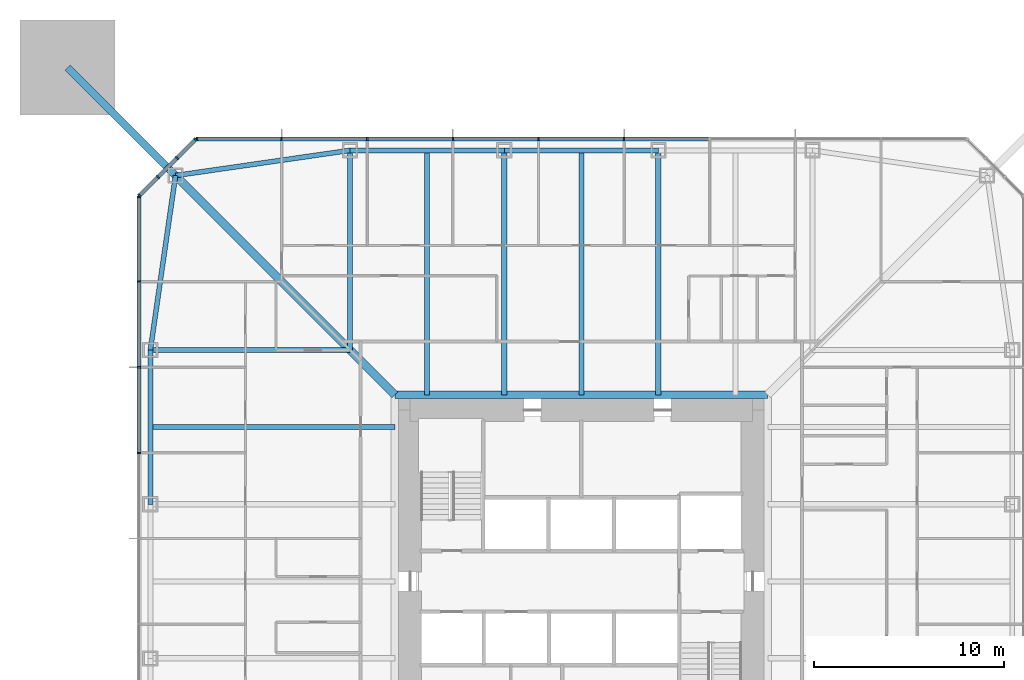
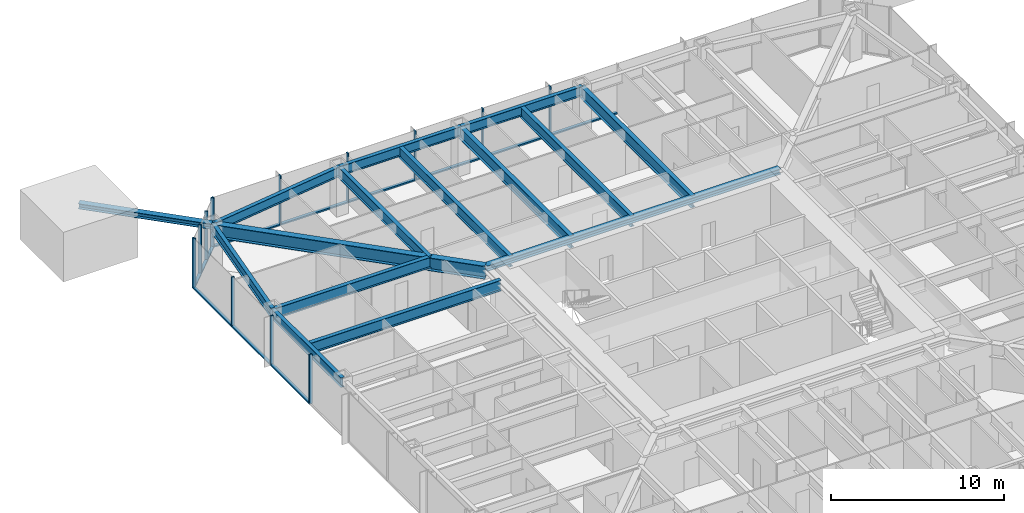
# One storey, part 6 of 26: 27 members, 14 beams, 3 elements without a shape of their own.
"""IFC4 building model written with IfcOpenShell, lengths in metres."""

from ifc_helpers import new_model, si_unit, direction, frame, origin, origin_2d, place, context, subcontext, project, spatial, rectangle, i_section, extrude, material, material_profile, profile_set, type_object, element, aggregate, save


model = new_model("IFC4")

# Units and contexts
model_context = context("Model", 3, precision=1e-05, world=origin(), true_north=direction((0.0, 1.0)))
body_context = subcontext(model_context, "Body", "Model", "MODEL_VIEW")
ifc_project = project(units=[si_unit("LENGTHUNIT", "METRE"), si_unit("AREAUNIT", "SQUARE_METRE"), si_unit("VOLUMEUNIT", "CUBIC_METRE"), si_unit("PLANEANGLEUNIT", "RADIAN"), si_unit("MASSUNIT", "GRAM", prefix="KILO")], contexts=[model_context])

# Site, building, storey
site_placement = place(None, origin())
site = spatial("IfcSite", under=ifc_project, at=site_placement, CompositionType="ELEMENT")
building_placement = place(site_placement, origin())
building = spatial("IfcBuilding", under=site, at=building_placement, Name="Iwan Alto Co-Living Towers", CompositionType="ELEMENT")
storey_placement = place(building_placement, frame((0.0, 0.0, 60.5)))
storey = spatial("IfcBuildingStorey", under=building, at=storey_placement, Name="L16", CompositionType="ELEMENT", Elevation=60.5)

# Curtain wall, members
ifc_material_1 = material(Name="Bronze aluminium unitised frame", Category="aluminium")
curtain_wall_type_1 = type_object("IfcCurtainWallType", Name="CURTAIN WALL CW-A", PredefinedType="NOTDEFINED", material=ifc_material_1)
curtain_wall_1_placement = place(storey_placement, origin())
curtain_wall_1 = element("IfcCurtainWall", 1, at=curtain_wall_1_placement, inside=storey, type_object=curtain_wall_type_1, Name="T1 curtain wall N L16", PredefinedType="NOTDEFINED")
ifc_material_2 = material(Name="Aluminium 6063-T6 bronze anodised", Category="aluminium")
ifc_material_profile_1 = material_profile(ifc_material_2, rectangle(XDim=0.199951171875, YDim=0.080078125, at=origin_2d()), Name="AL 80X200")
ifc_profile_set_1 = profile_set([ifc_material_profile_1], Name="Aluminium 6063-T6 bronze anodised")
member_type_1 = type_object("IfcMemberType", Name="CW-A MULLION 80X200", PredefinedType="MULLION", material=ifc_profile_set_1)
member_1_placement = place(storey_placement, frame((2.25, 23.25, 0.0), z_axis=(0.0, 0.0, 1.0), x_axis=(0.0, -1.0, 0.0)))
member_1 = element("IfcMember", 2, at=member_1_placement, type_object=member_type_1, Name="CW-A mullion 5", PredefinedType="MULLION", context=body_context, shape_type="SweptSolid", body=[
    extrude(rectangle(XDim=0.199951171875, YDim=0.080078125, at=origin_2d()), origin(), (0.0, 0.0, 1.0), 3.5),
])
member_2_placement = place(storey_placement, frame((-2.25, 23.25, 0.0), z_axis=(0.0, 0.0, 1.0), x_axis=(0.0, -1.0, 0.0)))
member_2 = element("IfcMember", 3, at=member_2_placement, type_object=member_type_1, Name="CW-A mullion 6", PredefinedType="MULLION", context=body_context, shape_type="SweptSolid", body=[
    extrude(rectangle(XDim=0.199951171875, YDim=0.080078125, at=origin_2d()), origin(), (0.0, 0.0, 1.0), 3.5),
])
member_3_placement = place(storey_placement, frame((-6.75, 23.25, 0.0), z_axis=(0.0, 0.0, 1.0), x_axis=(0.0, -1.0, 0.0)))
member_3 = element("IfcMember", 4, at=member_3_placement, type_object=member_type_1, Name="CW-A mullion 7", PredefinedType="MULLION", context=body_context, shape_type="SweptSolid", body=[
    extrude(rectangle(XDim=0.199951171875, YDim=0.080078125, at=origin_2d()), origin(), (0.0, 0.0, 1.0), 3.5),
])
member_4_placement = place(storey_placement, frame((-11.25, 23.25, 0.0), z_axis=(0.0, 0.0, 1.0), x_axis=(0.0, -1.0, 0.0)))
member_4 = element("IfcMember", 5, at=member_4_placement, type_object=member_type_1, Name="CW-A mullion 8", PredefinedType="MULLION", context=body_context, shape_type="SweptSolid", body=[
    extrude(rectangle(XDim=0.199951171875, YDim=0.080078125, at=origin_2d()), origin(), (0.0, 0.0, 1.0), 3.5),
])
member_5_placement = place(storey_placement, frame((-15.75, 23.25, 0.0), z_axis=(0.0, 0.0, 1.0), x_axis=(0.0, -1.0, 0.0)))
member_5 = element("IfcMember", 6, at=member_5_placement, type_object=member_type_1, Name="CW-A mullion 9", PredefinedType="MULLION", context=body_context, shape_type="SweptSolid", body=[
    extrude(rectangle(XDim=0.199951171875, YDim=0.080078125, at=origin_2d()), origin(), (0.0, 0.0, 1.0), 3.5),
])
member_6_placement = place(storey_placement, frame((-20.2099609375, 23.25, 0.0), z_axis=(0.0, 0.0, 1.0), x_axis=(0.0, -1.0, 0.0)))
member_6 = element("IfcMember", 7, at=member_6_placement, type_object=member_type_1, Name="CW-A mullion 10", PredefinedType="MULLION", context=body_context, shape_type="SweptSolid", body=[
    extrude(rectangle(XDim=0.199951171875, YDim=0.080078125, at=origin_2d()), origin(), (0.0, 0.0, 1.0), 3.5),
])

curtain_wall_2_placement = place(storey_placement, origin())
curtain_wall_2 = element("IfcCurtainWall", 8, at=curtain_wall_2_placement, inside=storey, type_object=curtain_wall_type_1, Name="T1 curtain wall W L16", PredefinedType="NOTDEFINED")
member_7_placement = place(storey_placement, frame((-23.25, 20.2099609375, 0.0), z_axis=(0.0, 0.0, 1.0), x_axis=(1.0, 0.0, 0.0)))
member_7 = element("IfcMember", 9, at=member_7_placement, type_object=member_type_1, Name="CW-A mullion 1", PredefinedType="MULLION", context=body_context, shape_type="SweptSolid", body=[
    extrude(rectangle(XDim=0.199951171875, YDim=0.080078125, at=origin_2d()), origin(), (0.0, 0.0, 1.0), 3.5),
])
member_8_placement = place(storey_placement, frame((-23.25, 15.75, 0.0), z_axis=(0.0, 0.0, 1.0), x_axis=(1.0, 0.0, 0.0)))
member_8 = element("IfcMember", 10, at=member_8_placement, type_object=member_type_1, Name="CW-A mullion 2", PredefinedType="MULLION", context=body_context, shape_type="SweptSolid", body=[
    extrude(rectangle(XDim=0.199951171875, YDim=0.080078125, at=origin_2d()), origin(), (0.0, 0.0, 1.0), 3.5),
])
member_9_placement = place(storey_placement, frame((-23.25, 11.25, 0.0), z_axis=(0.0, 0.0, 1.0), x_axis=(1.0, 0.0, 0.0)))
member_9 = element("IfcMember", 11, at=member_9_placement, type_object=member_type_1, Name="CW-A mullion 3", PredefinedType="MULLION", context=body_context, shape_type="SweptSolid", body=[
    extrude(rectangle(XDim=0.199951171875, YDim=0.080078125, at=origin_2d()), origin(), (0.0, 0.0, 1.0), 3.5),
])
member_10_placement = place(storey_placement, frame((-23.25, 6.75, 0.0), z_axis=(0.0, 0.0, 1.0), x_axis=(1.0, 0.0, 0.0)))
member_10 = element("IfcMember", 12, at=member_10_placement, type_object=member_type_1, Name="CW-A mullion 4", PredefinedType="MULLION", context=body_context, shape_type="SweptSolid", body=[
    extrude(rectangle(XDim=0.199951171875, YDim=0.080078125, at=origin_2d()), origin(), (0.0, 0.0, 1.0), 3.5),
])

# Member
ifc_material_3 = material(Name="Aluminium 6063-T6 bronze anodised", Category="aluminium")
ifc_material_profile_2 = material_profile(ifc_material_3, rectangle(XDim=0.199951171875, YDim=0.10009765625, at=origin_2d()), Name="AL 200X100")
ifc_profile_set_2 = profile_set([ifc_material_profile_2], Name="Aluminium 6063-T6 bronze anodised")
member_type_2 = type_object("IfcMemberType", Name="CW-A TRANSOM 200X100", PredefinedType="USERDEFINED", material=ifc_profile_set_2)
member_11_placement = place(storey_placement, frame((6.7099609375, 23.25, 0.050048828125), z_axis=(-1.0, 0.0, 0.0), x_axis=(0.0, -1.0, 0.0)))
member_11 = element("IfcMember", 13, at=member_11_placement, type_object=member_type_2, Name="CW-A transom 4.1", ObjectType="TRANSOM", PredefinedType="USERDEFINED", context=body_context, shape_type="SweptSolid", body=[
    extrude(rectangle(XDim=0.199951171875, YDim=0.10009765625, at=origin_2d()), origin(), (0.0, 0.0, 1.0), 4.419921875),
])

member_12_placement = place(storey_placement, frame((2.2099609375, 23.25, 0.050048828125), z_axis=(-1.0, 0.0, 0.0), x_axis=(0.0, -1.0, 0.0)))
member_12 = element("IfcMember", 14, at=member_12_placement, type_object=member_type_2, Name="CW-A transom 5.1", ObjectType="TRANSOM", PredefinedType="USERDEFINED", context=body_context, shape_type="SweptSolid", body=[
    extrude(rectangle(XDim=0.199951171875, YDim=0.10009765625, at=origin_2d()), origin(), (0.0, 0.0, 1.0), 4.419921875),
])

member_13_placement = place(storey_placement, frame((-2.2900390625, 23.25, 0.050048828125), z_axis=(-1.0, 0.0, 0.0), x_axis=(0.0, -1.0, 0.0)))
member_13 = element("IfcMember", 15, at=member_13_placement, type_object=member_type_2, Name="CW-A transom 6.1", ObjectType="TRANSOM", PredefinedType="USERDEFINED", context=body_context, shape_type="SweptSolid", body=[
    extrude(rectangle(XDim=0.199951171875, YDim=0.10009765625, at=origin_2d()), origin(), (0.0, 0.0, 1.0), 4.419921875),
])

member_14_placement = place(storey_placement, frame((-6.7900390625, 23.25, 0.050048828125), z_axis=(-1.0, 0.0, 0.0), x_axis=(0.0, -1.0, 0.0)))
member_14 = element("IfcMember", 16, at=member_14_placement, type_object=member_type_2, Name="CW-A transom 7.1", ObjectType="TRANSOM", PredefinedType="USERDEFINED", context=body_context, shape_type="SweptSolid", body=[
    extrude(rectangle(XDim=0.199951171875, YDim=0.10009765625, at=origin_2d()), origin(), (0.0, 0.0, 1.0), 4.419921875),
])

member_15_placement = place(storey_placement, frame((-11.2900390625, 23.25, 0.050048828125), z_axis=(-1.0, 0.0, 0.0), x_axis=(0.0, -1.0, 0.0)))
member_15 = element("IfcMember", 17, at=member_15_placement, type_object=member_type_2, Name="CW-A transom 8.1", ObjectType="TRANSOM", PredefinedType="USERDEFINED", context=body_context, shape_type="SweptSolid", body=[
    extrude(rectangle(XDim=0.199951171875, YDim=0.10009765625, at=origin_2d()), origin(), (0.0, 0.0, 1.0), 4.419921875),
])

member_16_placement = place(storey_placement, frame((-15.7900390625, 23.25, 0.050048828125), z_axis=(-1.0, 0.0, 0.0), x_axis=(0.0, -1.0, 0.0)))
member_16 = element("IfcMember", 18, at=member_16_placement, type_object=member_type_2, Name="CW-A transom 9.1", ObjectType="TRANSOM", PredefinedType="USERDEFINED", context=body_context, shape_type="SweptSolid", body=[
    extrude(rectangle(XDim=0.199951171875, YDim=0.10009765625, at=origin_2d()), origin(), (0.0, 0.0, 1.0), 4.3798828125),
])

aggregate(curtain_wall_1, [member_1, member_2, member_3, member_4, member_5, member_6, member_11, member_12, member_13, member_14, member_15, member_16])

member_17_placement = place(storey_placement, frame((-23.25, 20.169921875, 0.050048828125), z_axis=(0.0, -1.0, 0.0), x_axis=(1.0, 0.0, 0.0)))
member_17 = element("IfcMember", 19, at=member_17_placement, type_object=member_type_2, Name="CW-A transom 1.1", ObjectType="TRANSOM", PredefinedType="USERDEFINED", context=body_context, shape_type="SweptSolid", body=[
    extrude(rectangle(XDim=0.199951171875, YDim=0.10009765625, at=origin_2d()), origin(), (0.0, 0.0, 1.0), 4.3798828125),
])

member_18_placement = place(storey_placement, frame((-23.25, 15.7099609375, 0.050048828125), z_axis=(0.0, -1.0, 0.0), x_axis=(1.0, 0.0, 0.0)))
member_18 = element("IfcMember", 20, at=member_18_placement, type_object=member_type_2, Name="CW-A transom 2.1", ObjectType="TRANSOM", PredefinedType="USERDEFINED", context=body_context, shape_type="SweptSolid", body=[
    extrude(rectangle(XDim=0.199951171875, YDim=0.10009765625, at=origin_2d()), origin(), (0.0, 0.0, 1.0), 4.419921875),
])

member_19_placement = place(storey_placement, frame((-23.25, 11.2099609375, 0.050048828125), z_axis=(0.0, -1.0, 0.0), x_axis=(1.0, 0.0, 0.0)))
member_19 = element("IfcMember", 21, at=member_19_placement, type_object=member_type_2, Name="CW-A transom 3.1", ObjectType="TRANSOM", PredefinedType="USERDEFINED", context=body_context, shape_type="SweptSolid", body=[
    extrude(rectangle(XDim=0.199951171875, YDim=0.10009765625, at=origin_2d()), origin(), (0.0, 0.0, 1.0), 4.419921875),
])

aggregate(curtain_wall_2, [member_7, member_8, member_9, member_10, member_17, member_18, member_19])

# Curtain wall, members
ifc_material_4 = material(Name="Bronze aluminium unitised frame", Category="aluminium")
curtain_wall_type_2 = type_object("IfcCurtainWallType", Name="CURTAIN WALL CW-B", PredefinedType="NOTDEFINED", material=ifc_material_4)
curtain_wall_3_placement = place(storey_placement, origin())
curtain_wall_3 = element("IfcCurtainWall", 22, at=curtain_wall_3_placement, inside=storey, type_object=curtain_wall_type_2, Name="T1 chamfer curtain wall NW L16", PredefinedType="NOTDEFINED")
ifc_material_5 = material(Name="Aluminium 6063-T6 bronze anodised", Category="aluminium")
ifc_material_profile_3 = material_profile(ifc_material_5, rectangle(XDim=0.199951171875, YDim=0.080078125, at=origin_2d()), Name="AL 80X200")
ifc_profile_set_3 = profile_set([ifc_material_profile_3], Name="Aluminium 6063-T6 bronze anodised")
member_type_3 = type_object("IfcMemberType", Name="CW-B MULLION 80X200", PredefinedType="MULLION", material=ifc_profile_set_3)
member_20_placement = place(storey_placement, frame((-20.2783203125, 23.2216796875, 0.0), z_axis=(0.0, 0.0, 1.0), x_axis=(0.707106781187, -0.707106781187, 0.0)))
member_20 = element("IfcMember", 23, at=member_20_placement, type_object=member_type_3, Name="CW-B mullion 1", PredefinedType="MULLION", context=body_context, shape_type="SweptSolid", body=[
    extrude(rectangle(XDim=0.199951171875, YDim=0.080078125, at=origin_2d()), origin(), (0.0, 0.0, 1.0), 3.5),
])
member_21_placement = place(storey_placement, frame((-21.25, 22.25, 0.0), z_axis=(0.0, 0.0, 1.0), x_axis=(0.707106781187, -0.707106781187, 0.0)))
member_21 = element("IfcMember", 24, at=member_21_placement, type_object=member_type_3, Name="CW-B mullion 2", PredefinedType="MULLION", context=body_context, shape_type="SweptSolid", body=[
    extrude(rectangle(XDim=0.199951171875, YDim=0.080078125, at=origin_2d()), origin(), (0.0, 0.0, 1.0), 3.5),
])
member_22_placement = place(storey_placement, frame((-22.25, 21.25, 0.0), z_axis=(0.0, 0.0, 1.0), x_axis=(0.707106781187, -0.707106781187, 0.0)))
member_22 = element("IfcMember", 25, at=member_22_placement, type_object=member_type_3, Name="CW-B mullion 3", PredefinedType="MULLION", context=body_context, shape_type="SweptSolid", body=[
    extrude(rectangle(XDim=0.199951171875, YDim=0.080078125, at=origin_2d()), origin(), (0.0, 0.0, 1.0), 3.5),
])
member_23_placement = place(storey_placement, frame((-23.2216796875, 20.2783203125, 0.0), z_axis=(0.0, 0.0, 1.0), x_axis=(0.707106781187, -0.707106781187, 0.0)))
member_23 = element("IfcMember", 26, at=member_23_placement, type_object=member_type_3, Name="CW-B mullion 4", PredefinedType="MULLION", context=body_context, shape_type="SweptSolid", body=[
    extrude(rectangle(XDim=0.199951171875, YDim=0.080078125, at=origin_2d()), origin(), (0.0, 0.0, 1.0), 3.5),
])
ifc_material_6 = material(Name="Aluminium 6063-T6 bronze anodised", Category="aluminium")
ifc_material_profile_4 = material_profile(ifc_material_6, rectangle(XDim=0.199951171875, YDim=0.10009765625, at=origin_2d()), Name="AL 200X100")
ifc_profile_set_4 = profile_set([ifc_material_profile_4], Name="Aluminium 6063-T6 bronze anodised")
member_type_4 = type_object("IfcMemberType", Name="CW-B TRANSOM 200X100", PredefinedType="USERDEFINED", material=ifc_profile_set_4)
member_24_placement = place(storey_placement, frame((-20.306640625, 23.193359375, 0.050048828125), z_axis=(-0.707106781187, -0.707106781187, 0.0), x_axis=(0.707106781187, -0.707106781187, 0.0)))
member_24 = element("IfcMember", 27, at=member_24_placement, type_object=member_type_4, Name="CW-B transom 1.1", ObjectType="TRANSOM", PredefinedType="USERDEFINED", context=body_context, shape_type="SweptSolid", body=[
    extrude(rectangle(XDim=0.199951171875, YDim=0.10009765625, at=origin_2d()), origin(), (0.0, 0.0, 1.0), 1.2939453125),
])
member_25_placement = place(storey_placement, frame((-21.2783203125, 22.2216796875, 0.050048828125), z_axis=(-0.707106781187, -0.707106781187, 0.0), x_axis=(0.707106781187, -0.707106781187, 0.0)))
member_25 = element("IfcMember", 28, at=member_25_placement, type_object=member_type_4, Name="CW-B transom 2.1", ObjectType="TRANSOM", PredefinedType="USERDEFINED", context=body_context, shape_type="SweptSolid", body=[
    extrude(rectangle(XDim=0.199951171875, YDim=0.10009765625, at=origin_2d()), origin(), (0.0, 0.0, 1.0), 1.334228515625),
])
member_26_placement = place(storey_placement, frame((-22.2783203125, 21.2216796875, 0.050048828125), z_axis=(-0.707106781187, -0.707106781187, 0.0), x_axis=(0.707106781187, -0.707106781187, 0.0)))
member_26 = element("IfcMember", 29, at=member_26_placement, type_object=member_type_4, Name="CW-B transom 3.1", ObjectType="TRANSOM", PredefinedType="USERDEFINED", context=body_context, shape_type="SweptSolid", body=[
    extrude(rectangle(XDim=0.199951171875, YDim=0.10009765625, at=origin_2d()), origin(), (0.0, 0.0, 1.0), 1.2939453125),
])
aggregate(curtain_wall_3, [member_20, member_21, member_22, member_23, member_24, member_25, member_26])

# Beams
ifc_material_7 = material(Name="Steel ASTM A992 Gr 50", Category="steel")
ifc_material_profile_5 = material_profile(ifc_material_7, i_section(OverallWidth=0.398681640625, OverallDepth=0.385986328125, WebThickness=0.02099609375, FlangeThickness=0.033203125, at=origin_2d()), Name="W14X176")
ifc_profile_set_5 = profile_set([ifc_material_profile_5], Name="Steel ASTM A992 Gr 50")
beam_type_1 = type_object("IfcBeamType", Name="T1 CORE LEDGER BEAM W14X176", PredefinedType="BEAM", material=ifc_profile_set_5)
beam_1_placement = place(storey_placement, frame((9.79931640625, 9.79931640625, 3.076904296875), z_axis=(-1.0, 0.0, 0.0), x_axis=(0.0, -1.0, 0.0)))
element("IfcBeam", 30, at=beam_1_placement, inside=storey, type_object=beam_type_1, Name="T1 core ledger beam N L17", PredefinedType="BEAM", context=body_context, shape_type="SweptSolid", body=[
    extrude(i_section(OverallWidth=0.398681640625, OverallDepth=0.385986328125, WebThickness=0.02099609375, FlangeThickness=0.033203125, at=origin_2d()), origin(), (0.0, 0.0, 1.0), 19.5986328125),
])
ifc_material_8 = material(Name="Steel ASTM A992 Gr 50", Category="steel")
ifc_material_profile_6 = material_profile(ifc_material_8, i_section(OverallWidth=0.419189453125, OverallDepth=0.927001953125, WebThickness=0.019287109375, FlangeThickness=0.031982421875, at=origin_2d()), Name="W36X231")
ifc_profile_set_6 = profile_set([ifc_material_profile_6], Name="Steel ASTM A992 Gr 50")
beam_type_2 = type_object("IfcBeamType", Name="T1 CORNER GIRDER W36X231", PredefinedType="BEAM", material=ifc_profile_set_6)
beam_2_placement = place(storey_placement, frame((-21.32568359375, 21.32568359375, 2.806396484375), z_axis=(0.707106781187, -0.707106781187, 0.0), x_axis=(0.707106781187, 0.707106781187, 0.0)))
element("IfcBeam", 31, at=beam_2_placement, inside=storey, type_object=beam_type_2, Name="T1 corner girder CNW L17", PredefinedType="BEAM", context=body_context, shape_type="SweptSolid", body=[
    extrude(i_section(OverallWidth=0.419189453125, OverallDepth=0.927001953125, WebThickness=0.019287109375, FlangeThickness=0.031982421875, at=origin_2d()), origin(), (0.0, 0.0, 1.0), 16.30078125),
])
ifc_material_9 = material(Name="Steel ASTM A992 Gr 50", Category="steel")
ifc_material_profile_7 = material_profile(ifc_material_9, i_section(OverallWidth=0.25390625, OverallDepth=0.683349609375, WebThickness=0.012451171875, FlangeThickness=0.018798828125, at=origin_2d()), Name="W27X94")
ifc_profile_set_7 = profile_set([ifc_material_profile_7], Name="Steel ASTM A992 Gr 50")
beam_type_3 = type_object("IfcBeamType", Name="T1 EDGE BEAM W27X94", PredefinedType="BEAM", material=ifc_profile_set_7)
beam_3_placement = place(storey_placement, frame((4.050048828125, 22.64990234375, 2.928466796875), z_axis=(-1.0, 0.0, 0.0), x_axis=(0.0, -1.0, 0.0)))
element("IfcBeam", 32, at=beam_3_placement, inside=storey, type_object=beam_type_3, Name="T1 edge beam N2 L17", PredefinedType="BEAM", context=body_context, shape_type="SweptSolid", body=[
    extrude(i_section(OverallWidth=0.25390625, OverallDepth=0.683349609375, WebThickness=0.012451171875, FlangeThickness=0.018798828125, at=origin_2d()), origin(), (0.0, 0.0, 1.0), 8.10009765625),
])
beam_4_placement = place(storey_placement, frame((-4.050048828125, 22.64990234375, 2.928466796875), z_axis=(-1.0, 0.0, 0.0), x_axis=(0.0, -1.0, 0.0)))
element("IfcBeam", 33, at=beam_4_placement, inside=storey, type_object=beam_type_3, Name="T1 edge beam N3 L17", PredefinedType="BEAM", context=body_context, shape_type="SweptSolid", body=[
    extrude(i_section(OverallWidth=0.25390625, OverallDepth=0.683349609375, WebThickness=0.012451171875, FlangeThickness=0.018798828125, at=origin_2d()), origin(), (0.0, 0.0, 1.0), 8.099853515625),
])
for number, where, z_axis, x_axis, name in (
    (34, (-12.14990234375, 22.64990234375, 2.928466796875), (-0.989746234347, -0.142836940589, 0.0), (0.142836940589, -0.989746234347, 0.0), "T1 edge beam N4 L17"),
    (35, (-21.32568359375, 21.32568359375, 2.928466796875), (-0.142836940589, -0.989746234347, 0.0), (0.989746234347, -0.142836940589, 0.0), "T1 edge beam CNW L17"),
):
    element("IfcBeam", number, at=place(storey_placement, frame(where, z_axis=z_axis, x_axis=x_axis)), inside=storey, type_object=beam_type_3, Name=name, PredefinedType="BEAM", context=body_context, shape_type="SweptSolid", body=[
        extrude(i_section(OverallWidth=0.25390625, OverallDepth=0.683349609375, WebThickness=0.012451171875, FlangeThickness=0.018798828125, at=origin_2d()), origin(), (0.0, 0.0, 1.0), 9.270751953125),
    ])
beam_5_placement = place(storey_placement, frame((-22.64990234375, 12.14990234375, 2.928466796875), z_axis=(0.0, -1.0, 0.0), x_axis=(1.0, 0.0, 0.0)))
element("IfcBeam", 36, at=beam_5_placement, inside=storey, type_object=beam_type_3, Name="T1 edge beam W1 L17", PredefinedType="BEAM", context=body_context, shape_type="SweptSolid", body=[
    extrude(i_section(OverallWidth=0.25390625, OverallDepth=0.683349609375, WebThickness=0.012451171875, FlangeThickness=0.018798828125, at=origin_2d()), origin(), (0.0, 0.0, 1.0), 8.099853515625),
])

# Member
ifc_material_10 = material(Name="Steel ASTM A992 Gr 50", Category="steel")
ifc_material_profile_8 = material_profile(ifc_material_10, i_section(OverallWidth=0.393798828125, OverallDepth=0.3759765625, WebThickness=0.017333984375, FlangeThickness=0.027587890625, at=origin_2d()), Name="W14X145")
ifc_profile_set_8 = profile_set([ifc_material_profile_8], Name="Steel ASTM A992 Gr 50")
member_type_5 = type_object("IfcMemberType", Name="T1 MEGA COLUMN FLOOR TIE W14X145", PredefinedType="STRUT", material=ifc_profile_set_8)
member_27_placement = place(storey_placement, frame((-27.0, 27.0, 3.08203125), z_axis=(0.707106781187, -0.707106781187, 0.0), x_axis=(0.707106781187, 0.707106781187, 0.0)))
element("IfcMember", 37, at=member_27_placement, inside=storey, type_object=member_type_5, Name="T1 mega column floor tie NW L17", PredefinedType="STRUT", context=body_context, shape_type="SweptSolid", body=[
    extrude(i_section(OverallWidth=0.393798828125, OverallDepth=0.3759765625, WebThickness=0.017333984375, FlangeThickness=0.027587890625, at=origin_2d()), origin(), (0.0, 0.0, 1.0), 8.024658203125),
])

# Beams
ifc_material_11 = material(Name="Steel ASTM A992 Gr 50", Category="steel")
ifc_material_profile_9 = material_profile(ifc_material_11, i_section(OverallWidth=0.2666015625, OverallDepth=0.761962890625, WebThickness=0.014404296875, FlangeThickness=0.021484375, at=origin_2d()), Name="W30X116")
ifc_profile_set_9 = profile_set([ifc_material_profile_9], Name="Steel ASTM A992 Gr 50")
beam_type_4 = type_object("IfcBeamType", Name="T1 RADIAL BEAM W30X116", PredefinedType="BEAM", material=ifc_profile_set_9)
for number, where, z_axis, x_axis, name in (
    (38, (-12.14990234375, 22.64990234375, 2.888916015625), (0.0, -1.0, 0.0), (1.0, 0.0, 0.0), "T1 radial beam N4 L17"),
    (39, (-22.64990234375, 12.14990234375, 2.888916015625), (1.0, 0.0, 0.0), (0.0, 1.0, 0.0), "T1 radial beam W1 L17"),
):
    element("IfcBeam", number, at=place(storey_placement, frame(where, z_axis=z_axis, x_axis=x_axis)), inside=storey, type_object=beam_type_4, Name=name, PredefinedType="BEAM", context=body_context, shape_type="SweptSolid", body=[
        extrude(i_section(OverallWidth=0.2666015625, OverallDepth=0.761962890625, WebThickness=0.014404296875, FlangeThickness=0.021484375, at=origin_2d()), origin(), (0.0, 0.0, 1.0), 10.5),
    ])
ifc_material_12 = material(Name="Steel ASTM A992 Gr 50", Category="steel")
ifc_material_profile_10 = material_profile(ifc_material_12, i_section(OverallWidth=0.2919921875, OverallDepth=0.8408203125, WebThickness=0.0146484375, FlangeThickness=0.021728515625, at=origin_2d()), Name="W33X130")
ifc_profile_set_10 = profile_set([ifc_material_profile_10], Name="Steel ASTM A992 Gr 50")
beam_type_5 = type_object("IfcBeamType", Name="T1 RADIAL BEAM W33X130", PredefinedType="BEAM", material=ifc_profile_set_10)
for number, where, z_axis, x_axis, name in (
    (40, (4.050048828125, 22.64990234375, 2.849609375), (0.0, -1.0, 0.0), (1.0, 0.0, 0.0), "T1 radial beam N2 L17"),
    (41, (-4.050048828125, 22.64990234375, 2.849609375), (0.0, -1.0, 0.0), (1.0, 0.0, 0.0), "T1 radial beam N3 L17"),
):
    element("IfcBeam", number, at=place(storey_placement, frame(where, z_axis=z_axis, x_axis=x_axis)), inside=storey, type_object=beam_type_5, Name=name, PredefinedType="BEAM", context=body_context, shape_type="SweptSolid", body=[
        extrude(i_section(OverallWidth=0.2919921875, OverallDepth=0.8408203125, WebThickness=0.0146484375, FlangeThickness=0.021728515625, at=origin_2d()), origin(), (0.0, 0.0, 1.0), 12.8505859375),
    ])
ifc_material_13 = material(Name="Steel ASTM A992 Gr 50", Category="steel")
ifc_material_profile_11 = material_profile(ifc_material_13, i_section(OverallWidth=0.2666015625, OverallDepth=0.761962890625, WebThickness=0.014404296875, FlangeThickness=0.021484375, at=origin_2d()), Name="W30X116")
ifc_profile_set_11 = profile_set([ifc_material_profile_11], Name="Steel ASTM A992 Gr 50")
beam_type_6 = type_object("IfcBeamType", Name="T1 SECONDARY BEAM W30X116", PredefinedType="JOIST", material=ifc_profile_set_11)
for number, where, z_axis, x_axis, name in (
    (42, (0.0, 22.64990234375, 2.888916015625), (0.0, -1.0, 0.0), (1.0, 0.0, 0.0), "T1 secondary beam N2 L17"),
    (43, (-8.10009765625, 22.64990234375, 2.888916015625), (0.0, -1.0, 0.0), (1.0, 0.0, 0.0), "T1 secondary beam N3 L17"),
    (44, (-22.64990234375, 8.10009765625, 2.888916015625), (1.0, 0.0, 0.0), (0.0, 1.0, 0.0), "T1 secondary beam W1 L17"),
):
    element("IfcBeam", number, at=place(storey_placement, frame(where, z_axis=z_axis, x_axis=x_axis)), inside=storey, type_object=beam_type_6, Name=name, PredefinedType="JOIST", context=body_context, shape_type="SweptSolid", body=[
        extrude(i_section(OverallWidth=0.2666015625, OverallDepth=0.761962890625, WebThickness=0.014404296875, FlangeThickness=0.021484375, at=origin_2d()), origin(), (0.0, 0.0, 1.0), 12.8505859375),
    ])

save(model, "model.ifc")
